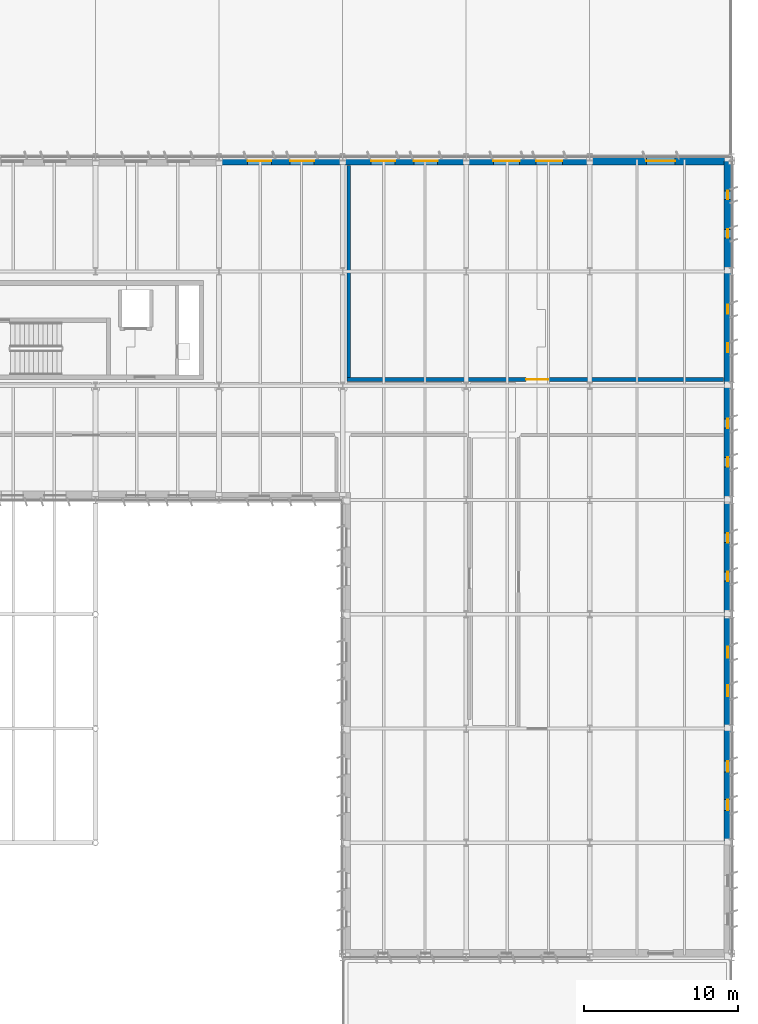
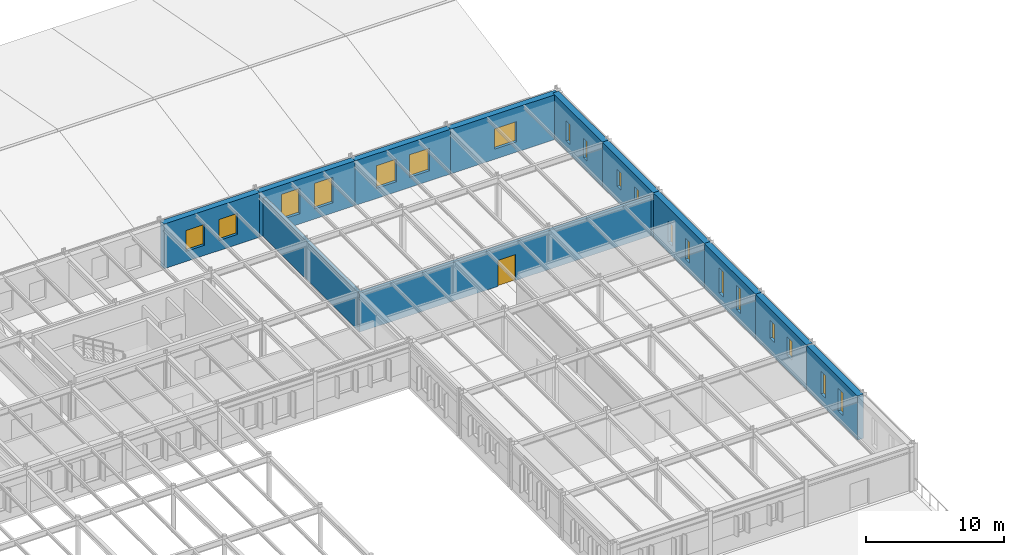
# One storey, part 47 of 63: 19 windows, 12 walls, 1 door, 20 openings.
"""IFC4 building model written with IfcOpenShell, lengths in metres."""

from ifc_helpers import new_model, si_unit, direction, frame, frame_2d, origin, place, context, subcontext, project, spatial, rectangle, extrude, material, layer, layer_set, type_object, element, fill, save


model = new_model("IFC4")

# Units and contexts
model_context = context("Model", 3, precision=1e-05, world=origin(), true_north=direction((0.0, 1.0)))
body_context = subcontext(model_context, "Body", "Model", "MODEL_VIEW")
ifc_project = project(units=[si_unit("LENGTHUNIT", "METRE"), si_unit("AREAUNIT", "SQUARE_METRE"), si_unit("VOLUMEUNIT", "CUBIC_METRE"), si_unit("PLANEANGLEUNIT", "RADIAN"), si_unit("MASSUNIT", "GRAM", prefix="KILO")], contexts=[model_context])

# Site, building, storey
site_placement = place(None, origin())
site = spatial("IfcSite", under=ifc_project, at=site_placement, CompositionType="ELEMENT")
building_placement = place(site_placement, origin())
building = spatial("IfcBuilding", under=site, at=building_placement, Name="Valkorina Park Police Headquarters", CompositionType="ELEMENT")
storey_placement = place(building_placement, frame((0.0, 0.0, 9.89990234375)))
storey = spatial("IfcBuildingStorey", under=building, at=storey_placement, Name="L03", CompositionType="ELEMENT", Elevation=9.89990234375)

# Wall, opening, door
ifc_material_1 = material(Name="Concrete C40/50", Category="concrete")
ifc_layer_1 = layer(ifc_material_1, 0.25)
ifc_layer_set_1 = layer_set([ifc_layer_1], Name="Concrete C40/50")
wall_type_1 = type_object("IfcWallType", Name="WL-CUST-250-REI120", PredefinedType="SOLIDWALL", material=ifc_layer_set_1)
wall_1_placement = place(storey_placement, frame((137.074951171875, 67.0, 0.0), z_axis=(0.0, 0.0, 1.0), x_axis=(1.0, 0.0, 0.0)))
wall_1 = element("IfcWall", 1, at=wall_1_placement, inside=storey, type_object=wall_type_1, Name="L03 Interior Partition 0186 (L03-DNA-04)", PredefinedType="SOLIDWALL", context=body_context, shape_type="SweptSolid", body=[
    extrude(rectangle(XDim=24.385009765625, YDim=0.25, at=frame_2d((12.1923828125, 0.0))), origin(), (0.0, 0.0, 1.0), 3.445068359375),
])
opening_1_placement = place(wall_1_placement, frame((11.60009765625, 0.0, 0.0)))
opening_1 = element("IfcOpeningElement", 2, at=opening_1_placement, cuts=wall_1, Name="Opening FD-07", PredefinedType="OPENING", context=body_context, shape_type="SweptSolid", body=[
    extrude(rectangle(XDim=1.449951171875, YDim=2.300048828125, at=frame_2d((0.72509765625, 1.14990234375))), frame((0.0, 0.135009765625, 0.0), z_axis=(0.0, -1.0, 0.0), x_axis=(1.0, 0.0, 0.0)), (0.0, 0.0, 1.0), 0.27001953125),
])
ifc_material_2 = material(Name="Galvanized steel door leaf", Category="steel")
ifc_layer_2 = layer(ifc_material_2, 0.050048828125)
ifc_layer_set_2 = layer_set([ifc_layer_2], Name="Galvanized steel door leaf")
door_type = type_object("IfcDoorType", Name="DR-FIRE-VAULT-1450x2300", OperationType="NOTDEFINED", PredefinedType="DOOR", material=ifc_layer_set_2)
door_placement = place(opening_1_placement, origin())
door = element("IfcDoor", 3, at=door_placement, inside=storey, type_object=door_type, Name="Door D-L03-I087 (L03-DNA-04)", OperationType="SINGLE_SWING_RIGHT", OverallHeight=2.300048828125, OverallWidth=1.449951171875, PredefinedType="DOOR", context=body_context, shape_type="SweptSolid", body=[
    extrude(rectangle(XDim=1.449951171875, YDim=2.300048828125, at=frame_2d((0.72509765625, 1.14990234375))), frame((0.0, 0.02490234375, 0.0), z_axis=(0.0, -1.0, 0.0), x_axis=(1.0, 0.0, 0.0)), (0.0, 0.0, 1.0), 0.050048828125),
])
fill(opening_1, door)

# Wall
wall_2_placement = place(storey_placement, frame((137.199951171875, 67.125, 0.0), z_axis=(0.0, 0.0, 1.0), x_axis=(0.0, 1.0, 0.0)))
element("IfcWall", 4, at=wall_2_placement, inside=storey, type_object=wall_type_1, Name="L03 Interior Partition 0187 (L03-DNA-04)", PredefinedType="SOLIDWALL", context=body_context, shape_type="SweptSolid", body=[
    extrude(rectangle(XDim=13.735107421875, YDim=0.25, at=frame_2d((6.86767578125, 0.0))), origin(), (0.0, 0.0, 1.0), 3.385009765625),
])

# Wall, openings, windows
ifc_material_3 = material(Name="Precast concrete C40/50", Category="concrete")
ifc_layer_3 = layer(ifc_material_3, 0.5)
ifc_layer_set_3 = layer_set([ifc_layer_3], Name="Precast concrete C40/50")
wall_type_2 = type_object("IfcWallType", Name="WL-EXT-SPANDREL-500", PredefinedType="STANDARD", material=ifc_layer_set_3)
wall_3_placement = place(storey_placement, frame((128.800048828125, 81.14990234375, 0.0), z_axis=(0.0, 0.0, 1.0), x_axis=(1.0, 0.0, 0.0)))
wall_3 = element("IfcWall", 5, at=wall_3_placement, inside=storey, type_object=wall_type_2, Name="L03 Architectural Concrete Exterior Wall 0200", PredefinedType="STANDARD", context=body_context, shape_type="SweptSolid", body=[
    extrude(rectangle(XDim=8.0, YDim=0.5, at=frame_2d((4.0, 0.0))), origin(), (0.0, 0.0, 1.0), 3.955078125),
])
opening_2_placement = place(wall_3_placement, frame((1.842529296875, 0.0, 0.89990234375)))
opening_2 = element("IfcOpeningElement", 6, at=opening_2_placement, cuts=wall_3, Name="Opening WN-26", PredefinedType="OPENING", context=body_context, shape_type="SweptSolid", body=[
    extrude(rectangle(XDim=1.550048828125, YDim=1.85009765625, at=frame_2d((0.77490234375, 0.925048828125))), frame((0.0, 0.260009765625, 0.0), z_axis=(0.0, -1.0, 0.0), x_axis=(1.0, 0.0, 0.0)), (0.0, 0.0, 1.0), 0.52001953125),
])
opening_3_placement = place(wall_3_placement, frame((4.607421875, 0.0, 0.89990234375)))
opening_3 = element("IfcOpeningElement", 7, at=opening_3_placement, cuts=wall_3, Name="Opening WN-26", PredefinedType="OPENING", context=body_context, shape_type="SweptSolid", body=[
    extrude(rectangle(XDim=1.550048828125, YDim=1.85009765625, at=frame_2d((0.77490234375, 0.925048828125))), frame((0.0, 0.260009765625, 0.0), z_axis=(0.0, -1.0, 0.0), x_axis=(1.0, 0.0, 0.0)), (0.0, 0.0, 1.0), 0.52001953125),
])
ifc_material_4 = material(Name="Triple low-E insulated glazing", Category="glass")
ifc_layer_4 = layer(ifc_material_4, 0.06005859375)
ifc_layer_set_4 = layer_set([ifc_layer_4], Name="Triple low-E insulated glazing")
window_type_1 = type_object("IfcWindowType", Name="WN-COURT-1550x1850", PartitioningType="SINGLE_PANEL", PredefinedType="WINDOW", material=ifc_layer_set_4)
window_1_placement = place(opening_2_placement, origin())
window_1 = element("IfcWindow", 8, at=window_1_placement, inside=storey, type_object=window_type_1, Name="Window L03-0335", OverallHeight=1.85009765625, OverallWidth=1.550048828125, PartitioningType="SINGLE_PANEL", PredefinedType="WINDOW", context=body_context, shape_type="SweptSolid", body=[
    extrude(rectangle(XDim=1.550048828125, YDim=1.85009765625, at=frame_2d((0.77490234375, 0.925048828125))), frame((0.0, 0.030029296875, 0.0), z_axis=(0.0, -1.0, 0.0), x_axis=(1.0, 0.0, 0.0)), (0.0, 0.0, 1.0), 0.06005859375),
])
fill(opening_2, window_1)
window_2_placement = place(opening_3_placement, origin())
window_2 = element("IfcWindow", 9, at=window_2_placement, inside=storey, type_object=window_type_1, Name="Window L03-0336", OverallHeight=1.85009765625, OverallWidth=1.550048828125, PartitioningType="SINGLE_PANEL", PredefinedType="WINDOW", context=body_context, shape_type="SweptSolid", body=[
    extrude(rectangle(XDim=1.550048828125, YDim=1.85009765625, at=frame_2d((0.77490234375, 0.925048828125))), frame((0.0, 0.030029296875, 0.0), z_axis=(0.0, -1.0, 0.0), x_axis=(1.0, 0.0, 0.0)), (0.0, 0.0, 1.0), 0.06005859375),
])
fill(opening_3, window_2)

wall_4_placement = place(storey_placement, frame((136.800048828125, 81.14990234375, 0.0), z_axis=(0.0, 0.0, 1.0), x_axis=(1.0, 0.0, 0.0)))
wall_4 = element("IfcWall", 10, at=wall_4_placement, inside=storey, type_object=wall_type_2, Name="L03 Architectural Concrete Exterior Wall 0201", PredefinedType="STANDARD", context=body_context, shape_type="SweptSolid", body=[
    extrude(rectangle(XDim=8.0, YDim=0.5, at=frame_2d((4.0, 0.0))), origin(), (0.0, 0.0, 1.0), 3.955078125),
])
opening_4_placement = place(wall_4_placement, frame((1.842529296875, 0.0, 0.89990234375)))
opening_4 = element("IfcOpeningElement", 11, at=opening_4_placement, cuts=wall_4, Name="Opening WN-27", PredefinedType="OPENING", context=body_context, shape_type="SweptSolid", body=[
    extrude(rectangle(XDim=1.550048828125, YDim=2.25, at=frame_2d((0.77490234375, 1.125))), frame((0.0, 0.260009765625, 0.0), z_axis=(0.0, -1.0, 0.0), x_axis=(1.0, 0.0, 0.0)), (0.0, 0.0, 1.0), 0.52001953125),
])
opening_5_placement = place(wall_4_placement, frame((4.607421875, 0.0, 0.89990234375)))
opening_5 = element("IfcOpeningElement", 12, at=opening_5_placement, cuts=wall_4, Name="Opening WN-27", PredefinedType="OPENING", context=body_context, shape_type="SweptSolid", body=[
    extrude(rectangle(XDim=1.550048828125, YDim=2.25, at=frame_2d((0.77490234375, 1.125))), frame((0.0, 0.260009765625, 0.0), z_axis=(0.0, -1.0, 0.0), x_axis=(1.0, 0.0, 0.0)), (0.0, 0.0, 1.0), 0.52001953125),
])
ifc_layer_5 = layer(ifc_material_4, 0.06005859375)
ifc_layer_set_5 = layer_set([ifc_layer_5], Name="Triple low-E insulated glazing")
window_type_2 = type_object("IfcWindowType", Name="WN-COURT-1550x2250", PartitioningType="SINGLE_PANEL", PredefinedType="WINDOW", material=ifc_layer_set_5)
window_3_placement = place(opening_4_placement, origin())
window_3 = element("IfcWindow", 13, at=window_3_placement, inside=storey, type_object=window_type_2, Name="Window L03-0337", OverallHeight=2.25, OverallWidth=1.550048828125, PartitioningType="SINGLE_PANEL", PredefinedType="WINDOW", context=body_context, shape_type="SweptSolid", body=[
    extrude(rectangle(XDim=1.550048828125, YDim=2.25, at=frame_2d((0.77490234375, 1.125))), frame((0.0, 0.030029296875, 0.0), z_axis=(0.0, -1.0, 0.0), x_axis=(1.0, 0.0, 0.0)), (0.0, 0.0, 1.0), 0.06005859375),
])
fill(opening_4, window_3)
window_4_placement = place(opening_5_placement, origin())
window_4 = element("IfcWindow", 14, at=window_4_placement, inside=storey, type_object=window_type_2, Name="Window L03-0338", OverallHeight=2.25, OverallWidth=1.550048828125, PartitioningType="SINGLE_PANEL", PredefinedType="WINDOW", context=body_context, shape_type="SweptSolid", body=[
    extrude(rectangle(XDim=1.550048828125, YDim=2.25, at=frame_2d((0.77490234375, 1.125))), frame((0.0, 0.030029296875, 0.0), z_axis=(0.0, -1.0, 0.0), x_axis=(1.0, 0.0, 0.0)), (0.0, 0.0, 1.0), 0.06005859375),
])
fill(opening_5, window_4)

wall_5_placement = place(storey_placement, frame((144.800048828125, 81.14990234375, 0.0), z_axis=(0.0, 0.0, 1.0), x_axis=(1.0, 0.0, 0.0)))
wall_5 = element("IfcWall", 15, at=wall_5_placement, inside=storey, type_object=wall_type_2, Name="L03 Architectural Concrete Exterior Wall 0202", PredefinedType="STANDARD", context=body_context, shape_type="SweptSolid", body=[
    extrude(rectangle(XDim=8.0, YDim=0.5, at=frame_2d((4.0, 0.0))), origin(), (0.0, 0.0, 1.0), 3.955078125),
])
opening_6_placement = place(wall_5_placement, frame((1.767578125, 0.0, 0.89990234375)))
opening_6 = element("IfcOpeningElement", 16, at=opening_6_placement, cuts=wall_5, Name="Opening WN-28", PredefinedType="OPENING", context=body_context, shape_type="SweptSolid", body=[
    extrude(rectangle(XDim=1.699951171875, YDim=2.0, at=frame_2d((0.85009765625, 1.0))), frame((0.0, 0.260009765625, 0.0), z_axis=(0.0, -1.0, 0.0), x_axis=(1.0, 0.0, 0.0)), (0.0, 0.0, 1.0), 0.52001953125),
])
opening_7_placement = place(wall_5_placement, frame((4.532470703125, 0.0, 0.89990234375)))
opening_7 = element("IfcOpeningElement", 17, at=opening_7_placement, cuts=wall_5, Name="Opening WN-28", PredefinedType="OPENING", context=body_context, shape_type="SweptSolid", body=[
    extrude(rectangle(XDim=1.699951171875, YDim=2.0, at=frame_2d((0.85009765625, 1.0))), frame((0.0, 0.260009765625, 0.0), z_axis=(0.0, -1.0, 0.0), x_axis=(1.0, 0.0, 0.0)), (0.0, 0.0, 1.0), 0.52001953125),
])
ifc_layer_6 = layer(ifc_material_4, 0.06005859375)
ifc_layer_set_6 = layer_set([ifc_layer_6], Name="Triple low-E insulated glazing")
window_type_3 = type_object("IfcWindowType", Name="WN-COURT-1700x2000", PartitioningType="SINGLE_PANEL", PredefinedType="WINDOW", material=ifc_layer_set_6)
window_5_placement = place(opening_6_placement, origin())
window_5 = element("IfcWindow", 18, at=window_5_placement, inside=storey, type_object=window_type_3, Name="Window L03-0339", OverallHeight=2.0, OverallWidth=1.699951171875, PartitioningType="SINGLE_PANEL", PredefinedType="WINDOW", context=body_context, shape_type="SweptSolid", body=[
    extrude(rectangle(XDim=1.699951171875, YDim=2.0, at=frame_2d((0.85009765625, 1.0))), frame((0.0, 0.030029296875, 0.0), z_axis=(0.0, -1.0, 0.0), x_axis=(1.0, 0.0, 0.0)), (0.0, 0.0, 1.0), 0.06005859375),
])
fill(opening_6, window_5)
window_6_placement = place(opening_7_placement, origin())
window_6 = element("IfcWindow", 19, at=window_6_placement, inside=storey, type_object=window_type_3, Name="Window L03-0340", OverallHeight=2.0, OverallWidth=1.699951171875, PartitioningType="SINGLE_PANEL", PredefinedType="WINDOW", context=body_context, shape_type="SweptSolid", body=[
    extrude(rectangle(XDim=1.699951171875, YDim=2.0, at=frame_2d((0.85009765625, 1.0))), frame((0.0, 0.030029296875, 0.0), z_axis=(0.0, -1.0, 0.0), x_axis=(1.0, 0.0, 0.0)), (0.0, 0.0, 1.0), 0.06005859375),
])
fill(opening_7, window_6)

# Wall, opening, window
wall_6_placement = place(storey_placement, frame((152.800048828125, 81.14990234375, 0.0), z_axis=(0.0, 0.0, 1.0), x_axis=(1.0, 0.0, 0.0)))
wall_6 = element("IfcWall", 20, at=wall_6_placement, inside=storey, type_object=wall_type_2, Name="L03 Architectural Concrete Exterior Wall 0203", PredefinedType="STANDARD", context=body_context, shape_type="SweptSolid", body=[
    extrude(rectangle(XDim=9.0400390625, YDim=0.5, at=frame_2d((4.52001953125, 0.0))), origin(), (0.0, 0.0, 1.0), 3.955078125),
])
opening_8_placement = place(wall_6_placement, frame((3.675048828125, 0.0, 0.89990234375)))
opening_8 = element("IfcOpeningElement", 21, at=opening_8_placement, cuts=wall_6, Name="Opening WN-29", PredefinedType="OPENING", context=body_context, shape_type="SweptSolid", body=[
    extrude(rectangle(XDim=1.85009765625, YDim=1.800048828125, at=frame_2d((0.925048828125, 0.89990234375))), frame((0.0, 0.260009765625, 0.0), z_axis=(0.0, -1.0, 0.0), x_axis=(1.0, 0.0, 0.0)), (0.0, 0.0, 1.0), 0.52001953125),
])
ifc_layer_7 = layer(ifc_material_4, 0.06005859375)
ifc_layer_set_7 = layer_set([ifc_layer_7], Name="Triple low-E insulated glazing")
window_type_4 = type_object("IfcWindowType", Name="WN-OFF-1850x1800", PartitioningType="SINGLE_PANEL", PredefinedType="WINDOW", material=ifc_layer_set_7)
window_7_placement = place(opening_8_placement, origin())
window_7 = element("IfcWindow", 22, at=window_7_placement, inside=storey, type_object=window_type_4, Name="Window L03-0341", OverallHeight=1.800048828125, OverallWidth=1.85009765625, PartitioningType="SINGLE_PANEL", PredefinedType="WINDOW", context=body_context, shape_type="SweptSolid", body=[
    extrude(rectangle(XDim=1.85009765625, YDim=1.800048828125, at=frame_2d((0.925048828125, 0.89990234375))), frame((0.0, 0.030029296875, 0.0), z_axis=(0.0, -1.0, 0.0), x_axis=(1.0, 0.0, 0.0)), (0.0, 0.0, 1.0), 0.06005859375),
])
fill(opening_8, window_7)

# Wall, openings, windows
wall_7_placement = place(storey_placement, frame((161.75, 81.1650390625, 0.0), z_axis=(0.0, 0.0, 1.0), x_axis=(0.0, -1.0, 0.0)))
wall_7 = element("IfcWall", 23, at=wall_7_placement, inside=storey, type_object=wall_type_2, Name="L03 Architectural Concrete Exterior Wall 0204", PredefinedType="STANDARD", context=body_context, shape_type="SweptSolid", body=[
    extrude(rectangle(XDim=7.1650390625, YDim=0.5, at=frame_2d((3.58251953125, 0.0))), origin(), (0.0, 0.0, 1.0), 3.955078125),
])
opening_9_placement = place(wall_7_placement, frame((1.942626953125, 0.0, 0.89990234375)))
opening_9 = element("IfcOpeningElement", 24, at=opening_9_placement, cuts=wall_7, Name="Opening WN-02", PredefinedType="OPENING", context=body_context, shape_type="SweptSolid", body=[
    extrude(rectangle(XDim=0.550048828125, YDim=1.75, at=frame_2d((0.27490234375, 0.875))), frame((0.0, 0.260009765625, 0.0), z_axis=(0.0, -1.0, 0.0), x_axis=(1.0, 0.0, 0.0)), (0.0, 0.0, 1.0), 0.52001953125),
])
opening_10_placement = place(wall_7_placement, frame((4.4375, 0.0, 0.89990234375)))
opening_10 = element("IfcOpeningElement", 25, at=opening_10_placement, cuts=wall_7, Name="Opening WN-02", PredefinedType="OPENING", context=body_context, shape_type="SweptSolid", body=[
    extrude(rectangle(XDim=0.550048828125, YDim=1.75, at=frame_2d((0.27490234375, 0.875))), frame((0.0, 0.260009765625, 0.0), z_axis=(0.0, -1.0, 0.0), x_axis=(1.0, 0.0, 0.0)), (0.0, 0.0, 1.0), 0.52001953125),
])
ifc_layer_8 = layer(ifc_material_4, 0.06005859375)
ifc_layer_set_8 = layer_set([ifc_layer_8], Name="Triple low-E insulated glazing")
window_type_5 = type_object("IfcWindowType", Name="WN-SLOT-550x1750", PartitioningType="SINGLE_PANEL", PredefinedType="WINDOW", material=ifc_layer_set_8)
window_8_placement = place(opening_9_placement, origin())
window_8 = element("IfcWindow", 26, at=window_8_placement, inside=storey, type_object=window_type_5, Name="Window L03-0342", OverallHeight=1.75, OverallWidth=0.550048828125, PartitioningType="SINGLE_PANEL", PredefinedType="WINDOW", context=body_context, shape_type="SweptSolid", body=[
    extrude(rectangle(XDim=0.550048828125, YDim=1.75, at=frame_2d((0.27490234375, 0.875))), frame((0.0, 0.030029296875, 0.0), z_axis=(0.0, -1.0, 0.0), x_axis=(1.0, 0.0, 0.0)), (0.0, 0.0, 1.0), 0.06005859375),
])
fill(opening_9, window_8)
window_9_placement = place(opening_10_placement, origin())
window_9 = element("IfcWindow", 27, at=window_9_placement, inside=storey, type_object=window_type_5, Name="Window L03-0343", OverallHeight=1.75, OverallWidth=0.550048828125, PartitioningType="SINGLE_PANEL", PredefinedType="WINDOW", context=body_context, shape_type="SweptSolid", body=[
    extrude(rectangle(XDim=0.550048828125, YDim=1.75, at=frame_2d((0.27490234375, 0.875))), frame((0.0, 0.030029296875, 0.0), z_axis=(0.0, -1.0, 0.0), x_axis=(1.0, 0.0, 0.0)), (0.0, 0.0, 1.0), 0.06005859375),
])
fill(opening_10, window_9)

wall_8_placement = place(storey_placement, frame((161.75, 74.0, 0.0), z_axis=(0.0, 0.0, 1.0), x_axis=(0.0, -1.0, 0.0)))
wall_8 = element("IfcWall", 28, at=wall_8_placement, inside=storey, type_object=wall_type_2, Name="L03 Architectural Concrete Exterior Wall 0205", PredefinedType="STANDARD", context=body_context, shape_type="SweptSolid", body=[
    extrude(rectangle(XDim=7.39990234375, YDim=0.5, at=frame_2d((3.699951171875, 0.0))), origin(), (0.0, 0.0, 1.0), 3.955078125),
])
opening_11_placement = place(wall_8_placement, frame((2.152587890625, 0.0, 1.35009765625)))
opening_11 = element("IfcOpeningElement", 29, at=opening_11_placement, cuts=wall_8, Name="Opening WN-03", PredefinedType="OPENING", context=body_context, shape_type="SweptSolid", body=[
    extrude(rectangle(XDim=0.60009765625, YDim=1.5, at=frame_2d((0.300048828125, 0.75))), frame((0.0, 0.260009765625, 0.0), z_axis=(0.0, -1.0, 0.0), x_axis=(1.0, 0.0, 0.0)), (0.0, 0.0, 1.0), 0.52001953125),
])
opening_12_placement = place(wall_8_placement, frame((4.6474609375, 0.0, 1.35009765625)))
opening_12 = element("IfcOpeningElement", 30, at=opening_12_placement, cuts=wall_8, Name="Opening WN-03", PredefinedType="OPENING", context=body_context, shape_type="SweptSolid", body=[
    extrude(rectangle(XDim=0.60009765625, YDim=1.5, at=frame_2d((0.300048828125, 0.75))), frame((0.0, 0.260009765625, 0.0), z_axis=(0.0, -1.0, 0.0), x_axis=(1.0, 0.0, 0.0)), (0.0, 0.0, 1.0), 0.52001953125),
])
ifc_layer_9 = layer(ifc_material_4, 0.06005859375)
ifc_layer_set_9 = layer_set([ifc_layer_9], Name="Triple low-E insulated glazing")
window_type_6 = type_object("IfcWindowType", Name="WN-SLOT-600x1500", PartitioningType="SINGLE_PANEL", PredefinedType="WINDOW", material=ifc_layer_set_9)
window_10_placement = place(opening_11_placement, origin())
window_10 = element("IfcWindow", 31, at=window_10_placement, inside=storey, type_object=window_type_6, Name="Window L03-0344", OverallHeight=1.5, OverallWidth=0.60009765625, PartitioningType="SINGLE_PANEL", PredefinedType="WINDOW", context=body_context, shape_type="SweptSolid", body=[
    extrude(rectangle(XDim=0.60009765625, YDim=1.5, at=frame_2d((0.300048828125, 0.75))), frame((0.0, 0.030029296875, 0.0), z_axis=(0.0, -1.0, 0.0), x_axis=(1.0, 0.0, 0.0)), (0.0, 0.0, 1.0), 0.06005859375),
])
fill(opening_11, window_10)
window_11_placement = place(opening_12_placement, origin())
window_11 = element("IfcWindow", 32, at=window_11_placement, inside=storey, type_object=window_type_6, Name="Window L03-0345", OverallHeight=1.5, OverallWidth=0.60009765625, PartitioningType="SINGLE_PANEL", PredefinedType="WINDOW", context=body_context, shape_type="SweptSolid", body=[
    extrude(rectangle(XDim=0.60009765625, YDim=1.5, at=frame_2d((0.300048828125, 0.75))), frame((0.0, 0.030029296875, 0.0), z_axis=(0.0, -1.0, 0.0), x_axis=(1.0, 0.0, 0.0)), (0.0, 0.0, 1.0), 0.06005859375),
])
fill(opening_12, window_11)

wall_9_placement = place(storey_placement, frame((161.75, 66.60009765625, 0.0), z_axis=(0.0, 0.0, 1.0), x_axis=(0.0, -1.0, 0.0)))
wall_9 = element("IfcWall", 33, at=wall_9_placement, inside=storey, type_object=wall_type_2, Name="L03 Architectural Concrete Exterior Wall 0206", PredefinedType="STANDARD", context=body_context, shape_type="SweptSolid", body=[
    extrude(rectangle(XDim=7.400146484375, YDim=0.5, at=frame_2d((3.7001953125, 0.0))), origin(), (0.0, 0.0, 1.0), 3.955078125),
])
opening_13_placement = place(wall_9_placement, frame((2.152587890625, 0.0, 0.89990234375)))
opening_13 = element("IfcOpeningElement", 34, at=opening_13_placement, cuts=wall_9, Name="Opening WN-04", PredefinedType="OPENING", context=body_context, shape_type="SweptSolid", body=[
    extrude(rectangle(XDim=0.60009765625, YDim=1.85009765625, at=frame_2d((0.300048828125, 0.925048828125))), frame((0.0, 0.260009765625, 0.0), z_axis=(0.0, -1.0, 0.0), x_axis=(1.0, 0.0, 0.0)), (0.0, 0.0, 1.0), 0.52001953125),
])
opening_14_placement = place(wall_9_placement, frame((4.6474609375, 0.0, 0.89990234375)))
opening_14 = element("IfcOpeningElement", 35, at=opening_14_placement, cuts=wall_9, Name="Opening WN-04", PredefinedType="OPENING", context=body_context, shape_type="SweptSolid", body=[
    extrude(rectangle(XDim=0.60009765625, YDim=1.85009765625, at=frame_2d((0.300048828125, 0.925048828125))), frame((0.0, 0.260009765625, 0.0), z_axis=(0.0, -1.0, 0.0), x_axis=(1.0, 0.0, 0.0)), (0.0, 0.0, 1.0), 0.52001953125),
])
ifc_layer_10 = layer(ifc_material_4, 0.06005859375)
ifc_layer_set_10 = layer_set([ifc_layer_10], Name="Triple low-E insulated glazing")
window_type_7 = type_object("IfcWindowType", Name="WN-SLOT-600x1850", PartitioningType="SINGLE_PANEL", PredefinedType="WINDOW", material=ifc_layer_set_10)
window_12_placement = place(opening_13_placement, origin())
window_12 = element("IfcWindow", 36, at=window_12_placement, inside=storey, type_object=window_type_7, Name="Window L03-0346", OverallHeight=1.85009765625, OverallWidth=0.60009765625, PartitioningType="SINGLE_PANEL", PredefinedType="WINDOW", context=body_context, shape_type="SweptSolid", body=[
    extrude(rectangle(XDim=0.60009765625, YDim=1.85009765625, at=frame_2d((0.300048828125, 0.925048828125))), frame((0.0, 0.030029296875, 0.0), z_axis=(0.0, -1.0, 0.0), x_axis=(1.0, 0.0, 0.0)), (0.0, 0.0, 1.0), 0.06005859375),
])
fill(opening_13, window_12)
window_13_placement = place(opening_14_placement, origin())
window_13 = element("IfcWindow", 37, at=window_13_placement, inside=storey, type_object=window_type_7, Name="Window L03-0347", OverallHeight=1.85009765625, OverallWidth=0.60009765625, PartitioningType="SINGLE_PANEL", PredefinedType="WINDOW", context=body_context, shape_type="SweptSolid", body=[
    extrude(rectangle(XDim=0.60009765625, YDim=1.85009765625, at=frame_2d((0.300048828125, 0.925048828125))), frame((0.0, 0.030029296875, 0.0), z_axis=(0.0, -1.0, 0.0), x_axis=(1.0, 0.0, 0.0)), (0.0, 0.0, 1.0), 0.06005859375),
])
fill(opening_14, window_13)

wall_10_placement = place(storey_placement, frame((161.75, 59.199951171875, 0.0), z_axis=(0.0, 0.0, 1.0), x_axis=(0.0, -1.0, 0.0)))
wall_10 = element("IfcWall", 38, at=wall_10_placement, inside=storey, type_object=wall_type_2, Name="L03 Architectural Concrete Exterior Wall 0207", PredefinedType="STANDARD", context=body_context, shape_type="SweptSolid", body=[
    extrude(rectangle(XDim=7.39990234375, YDim=0.5, at=frame_2d((3.699951171875, 0.0))), origin(), (0.0, 0.0, 1.0), 3.955078125),
])
opening_15_placement = place(wall_10_placement, frame((2.152587890625, 0.0, 0.89990234375)))
opening_15 = element("IfcOpeningElement", 39, at=opening_15_placement, cuts=wall_10, Name="Opening WN-05", PredefinedType="OPENING", context=body_context, shape_type="SweptSolid", body=[
    extrude(rectangle(XDim=0.60009765625, YDim=2.199951171875, at=frame_2d((0.300048828125, 1.10009765625))), frame((0.0, 0.260009765625, 0.0), z_axis=(0.0, -1.0, 0.0), x_axis=(1.0, 0.0, 0.0)), (0.0, 0.0, 1.0), 0.52001953125),
])
opening_16_placement = place(wall_10_placement, frame((4.6474609375, 0.0, 0.89990234375)))
opening_16 = element("IfcOpeningElement", 40, at=opening_16_placement, cuts=wall_10, Name="Opening WN-05", PredefinedType="OPENING", context=body_context, shape_type="SweptSolid", body=[
    extrude(rectangle(XDim=0.60009765625, YDim=2.199951171875, at=frame_2d((0.300048828125, 1.10009765625))), frame((0.0, 0.260009765625, 0.0), z_axis=(0.0, -1.0, 0.0), x_axis=(1.0, 0.0, 0.0)), (0.0, 0.0, 1.0), 0.52001953125),
])
ifc_layer_11 = layer(ifc_material_4, 0.06005859375)
ifc_layer_set_11 = layer_set([ifc_layer_11], Name="Triple low-E insulated glazing")
window_type_8 = type_object("IfcWindowType", Name="WN-SLOT-600x2200", PartitioningType="SINGLE_PANEL", PredefinedType="WINDOW", material=ifc_layer_set_11)
window_14_placement = place(opening_15_placement, origin())
window_14 = element("IfcWindow", 41, at=window_14_placement, inside=storey, type_object=window_type_8, Name="Window L03-0348", OverallHeight=2.199951171875, OverallWidth=0.60009765625, PartitioningType="SINGLE_PANEL", PredefinedType="WINDOW", context=body_context, shape_type="SweptSolid", body=[
    extrude(rectangle(XDim=0.60009765625, YDim=2.199951171875, at=frame_2d((0.300048828125, 1.10009765625))), frame((0.0, 0.030029296875, 0.0), z_axis=(0.0, -1.0, 0.0), x_axis=(1.0, 0.0, 0.0)), (0.0, 0.0, 1.0), 0.06005859375),
])
fill(opening_15, window_14)
window_15_placement = place(opening_16_placement, origin())
window_15 = element("IfcWindow", 42, at=window_15_placement, inside=storey, type_object=window_type_8, Name="Window L03-0349", OverallHeight=2.199951171875, OverallWidth=0.60009765625, PartitioningType="SINGLE_PANEL", PredefinedType="WINDOW", context=body_context, shape_type="SweptSolid", body=[
    extrude(rectangle(XDim=0.60009765625, YDim=2.199951171875, at=frame_2d((0.300048828125, 1.10009765625))), frame((0.0, 0.030029296875, 0.0), z_axis=(0.0, -1.0, 0.0), x_axis=(1.0, 0.0, 0.0)), (0.0, 0.0, 1.0), 0.06005859375),
])
fill(opening_16, window_15)

wall_11_placement = place(storey_placement, frame((161.75, 51.800048828125, 0.0), z_axis=(0.0, 0.0, 1.0), x_axis=(0.0, -1.0, 0.0)))
wall_11 = element("IfcWall", 43, at=wall_11_placement, inside=storey, type_object=wall_type_2, Name="L03 Architectural Concrete Exterior Wall 0208", PredefinedType="STANDARD", context=body_context, shape_type="SweptSolid", body=[
    extrude(rectangle(XDim=7.400146484375, YDim=0.5, at=frame_2d((3.7001953125, 0.0))), origin(), (0.0, 0.0, 1.0), 3.955078125),
])
opening_17_placement = place(wall_11_placement, frame((2.1025390625, 0.0, 1.35009765625)))
opening_17 = element("IfcOpeningElement", 44, at=opening_17_placement, cuts=wall_11, Name="Opening WN-07", PredefinedType="OPENING", context=body_context, shape_type="SweptSolid", body=[
    extrude(rectangle(XDim=0.699951171875, YDim=1.60009765625, at=frame_2d((0.35009765625, 0.800048828125))), frame((0.0, 0.260009765625, 0.0), z_axis=(0.0, -1.0, 0.0), x_axis=(1.0, 0.0, 0.0)), (0.0, 0.0, 1.0), 0.52001953125),
])
opening_18_placement = place(wall_11_placement, frame((4.597412109375, 0.0, 1.35009765625)))
opening_18 = element("IfcOpeningElement", 45, at=opening_18_placement, cuts=wall_11, Name="Opening WN-07", PredefinedType="OPENING", context=body_context, shape_type="SweptSolid", body=[
    extrude(rectangle(XDim=0.699951171875, YDim=1.60009765625, at=frame_2d((0.35009765625, 0.800048828125))), frame((0.0, 0.260009765625, 0.0), z_axis=(0.0, -1.0, 0.0), x_axis=(1.0, 0.0, 0.0)), (0.0, 0.0, 1.0), 0.52001953125),
])
ifc_layer_12 = layer(ifc_material_4, 0.06005859375)
ifc_layer_set_12 = layer_set([ifc_layer_12], Name="Triple low-E insulated glazing")
window_type_9 = type_object("IfcWindowType", Name="WN-SLOT-700x1600", PartitioningType="SINGLE_PANEL", PredefinedType="WINDOW", material=ifc_layer_set_12)
window_16_placement = place(opening_17_placement, origin())
window_16 = element("IfcWindow", 46, at=window_16_placement, inside=storey, type_object=window_type_9, Name="Window L03-0350", OverallHeight=1.60009765625, OverallWidth=0.699951171875, PartitioningType="SINGLE_PANEL", PredefinedType="WINDOW", context=body_context, shape_type="SweptSolid", body=[
    extrude(rectangle(XDim=0.699951171875, YDim=1.60009765625, at=frame_2d((0.35009765625, 0.800048828125))), frame((0.0, 0.030029296875, 0.0), z_axis=(0.0, -1.0, 0.0), x_axis=(1.0, 0.0, 0.0)), (0.0, 0.0, 1.0), 0.06005859375),
])
fill(opening_17, window_16)
window_17_placement = place(opening_18_placement, origin())
window_17 = element("IfcWindow", 47, at=window_17_placement, inside=storey, type_object=window_type_9, Name="Window L03-0351", OverallHeight=1.60009765625, OverallWidth=0.699951171875, PartitioningType="SINGLE_PANEL", PredefinedType="WINDOW", context=body_context, shape_type="SweptSolid", body=[
    extrude(rectangle(XDim=0.699951171875, YDim=1.60009765625, at=frame_2d((0.35009765625, 0.800048828125))), frame((0.0, 0.030029296875, 0.0), z_axis=(0.0, -1.0, 0.0), x_axis=(1.0, 0.0, 0.0)), (0.0, 0.0, 1.0), 0.06005859375),
])
fill(opening_18, window_17)

wall_12_placement = place(storey_placement, frame((161.75, 44.39990234375, 0.0), z_axis=(0.0, 0.0, 1.0), x_axis=(0.0, -1.0, 0.0)))
wall_12 = element("IfcWall", 48, at=wall_12_placement, inside=storey, type_object=wall_type_2, Name="L03 Architectural Concrete Exterior Wall 0209", PredefinedType="STANDARD", context=body_context, shape_type="SweptSolid", body=[
    extrude(rectangle(XDim=7.39990234375, YDim=0.5, at=frame_2d((3.699951171875, 0.0))), origin(), (0.0, 0.0, 1.0), 3.920166015625),
])
opening_19_placement = place(wall_12_placement, frame((2.1025390625, 0.0, 0.89990234375)))
opening_19 = element("IfcOpeningElement", 49, at=opening_19_placement, cuts=wall_12, Name="Opening WN-08", PredefinedType="OPENING", context=body_context, shape_type="SweptSolid", body=[
    extrude(rectangle(XDim=0.699951171875, YDim=2.0, at=frame_2d((0.35009765625, 1.0))), frame((0.0, 0.260009765625, 0.0), z_axis=(0.0, -1.0, 0.0), x_axis=(1.0, 0.0, 0.0)), (0.0, 0.0, 1.0), 0.52001953125),
])
opening_20_placement = place(wall_12_placement, frame((4.597412109375, 0.0, 0.89990234375)))
opening_20 = element("IfcOpeningElement", 50, at=opening_20_placement, cuts=wall_12, Name="Opening WN-08", PredefinedType="OPENING", context=body_context, shape_type="SweptSolid", body=[
    extrude(rectangle(XDim=0.699951171875, YDim=2.0, at=frame_2d((0.35009765625, 1.0))), frame((0.0, 0.260009765625, 0.0), z_axis=(0.0, -1.0, 0.0), x_axis=(1.0, 0.0, 0.0)), (0.0, 0.0, 1.0), 0.52001953125),
])
ifc_layer_13 = layer(ifc_material_4, 0.06005859375)
ifc_layer_set_13 = layer_set([ifc_layer_13], Name="Triple low-E insulated glazing")
window_type_10 = type_object("IfcWindowType", Name="WN-SLOT-700x2000", PartitioningType="SINGLE_PANEL", PredefinedType="WINDOW", material=ifc_layer_set_13)
window_18_placement = place(opening_19_placement, origin())
window_18 = element("IfcWindow", 51, at=window_18_placement, inside=storey, type_object=window_type_10, Name="Window L03-0352", OverallHeight=2.0, OverallWidth=0.699951171875, PartitioningType="SINGLE_PANEL", PredefinedType="WINDOW", context=body_context, shape_type="SweptSolid", body=[
    extrude(rectangle(XDim=0.699951171875, YDim=2.0, at=frame_2d((0.35009765625, 1.0))), frame((0.0, 0.030029296875, 0.0), z_axis=(0.0, -1.0, 0.0), x_axis=(1.0, 0.0, 0.0)), (0.0, 0.0, 1.0), 0.06005859375),
])
fill(opening_19, window_18)
window_19_placement = place(opening_20_placement, origin())
window_19 = element("IfcWindow", 52, at=window_19_placement, inside=storey, type_object=window_type_10, Name="Window L03-0353", OverallHeight=2.0, OverallWidth=0.699951171875, PartitioningType="SINGLE_PANEL", PredefinedType="WINDOW", context=body_context, shape_type="SweptSolid", body=[
    extrude(rectangle(XDim=0.699951171875, YDim=2.0, at=frame_2d((0.35009765625, 1.0))), frame((0.0, 0.030029296875, 0.0), z_axis=(0.0, -1.0, 0.0), x_axis=(1.0, 0.0, 0.0)), (0.0, 0.0, 1.0), 0.06005859375),
])
fill(opening_20, window_19)

save(model, "model.ifc")
